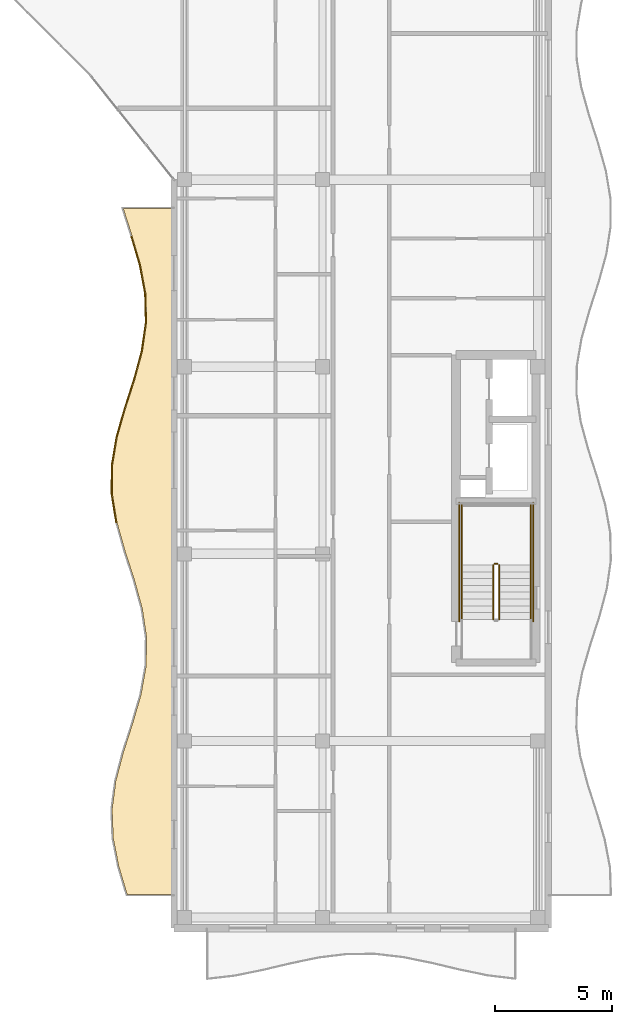
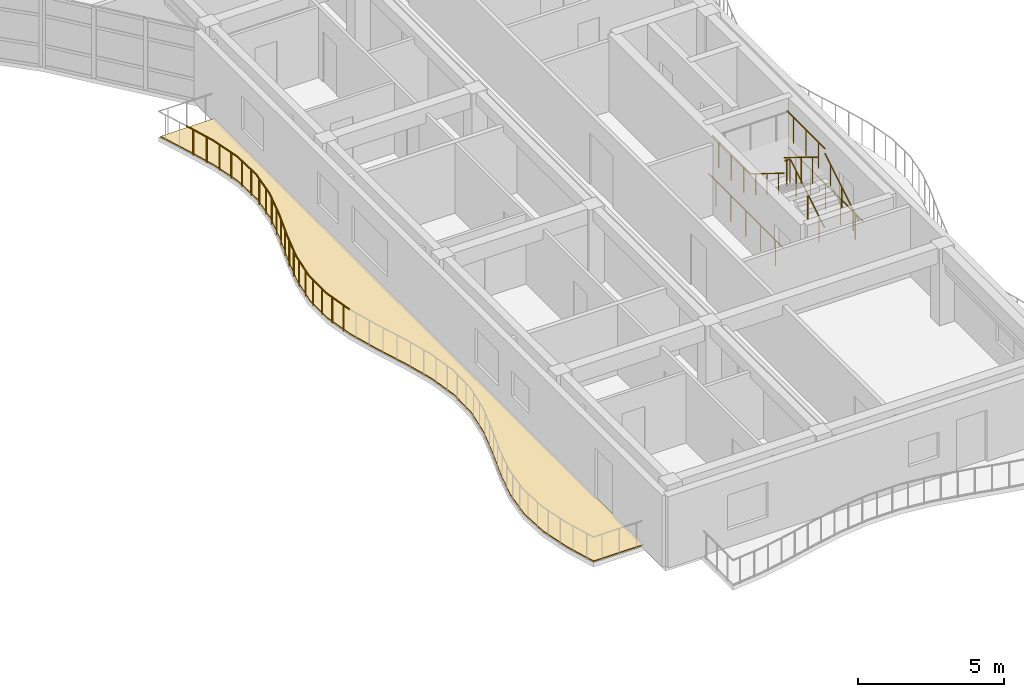
# One storey, part 68 of 72: 19 railings, 1 covering.
"""IFC4 building model written with IfcOpenShell, lengths in metres."""

from ifc_helpers import new_model, si_unit, direction, frame, origin, origin_2d, place, context, subcontext, project, spatial, polyline, circle, outline, extrude, material, layer, layer_set, type_object, element, save


model = new_model("IFC4")

# Units and contexts
model_context = context("Model", 3, precision=1e-05, world=origin(), true_north=direction((0.0, 1.0)))
body_context = subcontext(model_context, "Body", "Model", "MODEL_VIEW")
ifc_project = project(units=[si_unit("LENGTHUNIT", "METRE"), si_unit("AREAUNIT", "SQUARE_METRE"), si_unit("VOLUMEUNIT", "CUBIC_METRE"), si_unit("PLANEANGLEUNIT", "RADIAN"), si_unit("MASSUNIT", "GRAM", prefix="KILO")], contexts=[model_context])

# Site, building, storey
site_placement = place(None, origin())
site = spatial("IfcSite", under=ifc_project, at=site_placement, CompositionType="ELEMENT")
building_placement = place(site_placement, origin())
building = spatial("IfcBuilding", under=site, at=building_placement, Name="Keldmere Railside Commons", CompositionType="ELEMENT")
storey_placement = place(building_placement, frame((0.0, 0.0, 16.9599609375)))
storey = spatial("IfcBuildingStorey", under=building, at=storey_placement, Name="L05", CompositionType="ELEMENT", Elevation=16.9599609375)

# Railings
ifc_material_1 = material(Name="Steel F-24 (S235)", Category="steel")
railing_type_1 = type_object("IfcRailingType", Name="Balcony & Terrace Steel Balustrade 1100", PredefinedType="BALUSTRADE", material=ifc_material_1)
railing_1_placement = place(storey_placement, frame((165.521484375, 73.324951171875, 0.0)))
element("IfcRailing", 1, at=railing_1_placement, inside=storey, type_object=railing_type_1, Name="GR-1 GRD-L05-3733", PredefinedType="BALUSTRADE", context=body_context, shape_type="SweptSolid", body=[
    extrude(circle(Radius=0.02392578125, at=origin_2d()), frame((0.0, 0.0, 1.076171875), z_axis=(-0.158972629769, 0.987282990325, 0.0), x_axis=(-0.987282990325, -0.158972629769, 0.0)), (0.0, 0.0, 1.0), 1.240966796875),
    extrude(circle(Radius=0.02099609375, at=origin_2d()), frame((-0.04931640625, 0.30615234375, 0.0)), (0.0, 0.0, 1.0), 1.048095703125),
    extrude(circle(Radius=0.02099609375, at=origin_2d()), frame((-0.14794921875, 0.9189453125, 0.0)), (0.0, 0.0, 1.0), 1.048095703125),
])
railing_2_placement = place(storey_placement, frame((165.32421875, 74.550048828125, 0.0)))
element("IfcRailing", 2, at=railing_2_placement, inside=storey, type_object=railing_type_1, Name="GR-1 GRD-L05-3734", PredefinedType="BALUSTRADE", context=body_context, shape_type="SweptSolid", body=[
    extrude(circle(Radius=0.02392578125, at=origin_2d()), frame((0.0, 0.0, 1.076171875), z_axis=(0.004185731719, 0.999991239787, 0.0), x_axis=(-0.999991239787, 0.004185731719, 0.0)), (0.0, 0.0, 1.0), 1.224853515625),
    extrude(circle(Radius=0.02099609375, at=origin_2d()), frame((0.001220703125, 0.30615234375, 0.0)), (0.0, 0.0, 1.0), 1.048095703125),
    extrude(circle(Radius=0.02099609375, at=origin_2d()), frame((0.00390625, 0.918701171875, 0.0)), (0.0, 0.0, 1.0), 1.048095703125),
])
railing_3_placement = place(storey_placement, frame((165.329345703125, 75.77490234375, 0.0)))
element("IfcRailing", 3, at=railing_3_placement, inside=storey, type_object=railing_type_1, Name="GR-1 GRD-L05-3735", PredefinedType="BALUSTRADE", context=body_context, shape_type="SweptSolid", body=[
    extrude(circle(Radius=0.02392578125, at=origin_2d()), frame((0.0, 0.0, 1.076171875), z_axis=(0.166055861627, 0.986116347506, 0.0), x_axis=(-0.986116347506, 0.166055861627, 0.0)), (0.0, 0.0, 1.0), 1.242431640625),
    extrude(circle(Radius=0.02099609375, at=origin_2d()), frame((0.051513671875, 0.30615234375, 0.0)), (0.0, 0.0, 1.0), 1.048095703125),
    extrude(circle(Radius=0.02099609375, at=origin_2d()), frame((0.15478515625, 0.9189453125, 0.0)), (0.0, 0.0, 1.0), 1.048095703125),
])
railing_4_placement = place(storey_placement, frame((165.53564453125, 77.0, 0.0)))
element("IfcRailing", 4, at=railing_4_placement, inside=storey, type_object=railing_type_1, Name="GR-1 GRD-L05-3736", PredefinedType="BALUSTRADE", context=body_context, shape_type="SweptSolid", body=[
    extrude(circle(Radius=0.02392578125, at=origin_2d()), frame((0.0, 0.0, 1.076171875), z_axis=(0.27441739514, 0.961610676545, 0.0), x_axis=(-0.961610676545, 0.27441739514, 0.0)), (0.0, 0.0, 1.0), 1.27392578125),
    extrude(circle(Radius=0.02099609375, at=origin_2d()), frame((0.08740234375, 0.30615234375, 0.0)), (0.0, 0.0, 1.0), 1.048095703125),
    extrude(circle(Radius=0.02099609375, at=origin_2d()), frame((0.26220703125, 0.9189453125, 0.0)), (0.0, 0.0, 1.0), 1.048095703125),
])
railing_5_placement = place(storey_placement, frame((165.88525390625, 78.22509765625, 0.0)))
element("IfcRailing", 5, at=railing_5_placement, inside=storey, type_object=railing_type_1, Name="GR-1 GRD-L05-3737", PredefinedType="BALUSTRADE", context=body_context, shape_type="SweptSolid", body=[
    extrude(circle(Radius=0.02392578125, at=origin_2d()), frame((0.0, 0.0, 1.076171875), z_axis=(0.307451620447, 0.951563713623, 0.0), x_axis=(-0.951563713623, 0.307451620447, 0.0)), (0.0, 0.0, 1.0), 1.287109375),
    extrude(circle(Radius=0.02099609375, at=origin_2d()), frame((0.098876953125, 0.30615234375, 0.0)), (0.0, 0.0, 1.0), 1.048095703125),
    extrude(circle(Radius=0.02099609375, at=origin_2d()), frame((0.296875, 0.918701171875, 0.0)), (0.0, 0.0, 1.0), 1.048095703125),
])
railing_6_placement = place(storey_placement, frame((166.281005859375, 79.449951171875, 0.0)))
element("IfcRailing", 6, at=railing_6_placement, inside=storey, type_object=railing_type_1, Name="GR-1 GRD-L05-3738", PredefinedType="BALUSTRADE", context=body_context, shape_type="SweptSolid", body=[
    extrude(circle(Radius=0.02392578125, at=origin_2d()), frame((0.0, 0.0, 1.076171875), z_axis=(0.261049536835, 0.965325405922, 0.0), x_axis=(-0.965325405922, 0.261049536835, 0.0)), (0.0, 0.0, 1.0), 1.26904296875),
    extrude(circle(Radius=0.02099609375, at=origin_2d()), frame((0.082763671875, 0.30615234375, 0.0)), (0.0, 0.0, 1.0), 1.048095703125),
    extrude(circle(Radius=0.02099609375, at=origin_2d()), frame((0.24853515625, 0.9189453125, 0.0)), (0.0, 0.0, 1.0), 1.048095703125),
])
railing_7_placement = place(storey_placement, frame((166.6123046875, 80.675048828125, 0.0)))
element("IfcRailing", 7, at=railing_7_placement, inside=storey, type_object=railing_type_1, Name="GR-1 GRD-L05-3739", PredefinedType="BALUSTRADE", context=body_context, shape_type="SweptSolid", body=[
    extrude(circle(Radius=0.02392578125, at=origin_2d()), frame((0.0, 0.0, 1.076171875), z_axis=(0.140896428095, 0.990024341393, 0.0), x_axis=(-0.990024341393, 0.140896428095, 0.0)), (0.0, 0.0, 1.0), 1.2373046875),
    extrude(circle(Radius=0.02099609375, at=origin_2d()), frame((0.04345703125, 0.30615234375, 0.0)), (0.0, 0.0, 1.0), 1.048095703125),
    extrude(circle(Radius=0.02099609375, at=origin_2d()), frame((0.130859375, 0.918701171875, 0.0)), (0.0, 0.0, 1.0), 1.048095703125),
])
railing_8_placement = place(storey_placement, frame((166.78662109375, 81.89990234375, 0.0)))
element("IfcRailing", 8, at=railing_8_placement, inside=storey, type_object=railing_type_1, Name="GR-1 GRD-L05-3740", PredefinedType="BALUSTRADE", context=body_context, shape_type="SweptSolid", body=[
    extrude(circle(Radius=0.02392578125, at=origin_2d()), frame((0.0, 0.0, 1.076171875), z_axis=(-0.02530078622, 0.999679883871, 0.0), x_axis=(-0.999679883871, -0.02530078622, 0.0)), (0.0, 0.0, 1.0), 1.2255859375),
    extrude(circle(Radius=0.02099609375, at=origin_2d()), frame((-0.0078125, 0.30615234375, 0.0)), (0.0, 0.0, 1.0), 1.048095703125),
    extrude(circle(Radius=0.02099609375, at=origin_2d()), frame((-0.023193359375, 0.9189453125, 0.0)), (0.0, 0.0, 1.0), 1.048095703125),
])
railing_9_placement = place(storey_placement, frame((166.755615234375, 83.125, 0.0)))
element("IfcRailing", 9, at=railing_9_placement, inside=storey, type_object=railing_type_1, Name="GR-1 GRD-L05-3741", PredefinedType="BALUSTRADE", context=body_context, shape_type="SweptSolid", body=[
    extrude(circle(Radius=0.02392578125, at=origin_2d()), frame((0.0, 0.0, 1.076171875), z_axis=(-0.182987183933, 0.983115298689, 0.0), x_axis=(-0.983115298689, -0.182987183933, 0.0)), (0.0, 0.0, 1.0), 1.24609375),
    extrude(circle(Radius=0.02099609375, at=origin_2d()), frame((-0.05712890625, 0.30615234375, 0.0)), (0.0, 0.0, 1.0), 1.048095703125),
    extrude(circle(Radius=0.02099609375, at=origin_2d()), frame((-0.1708984375, 0.9189453125, 0.0)), (0.0, 0.0, 1.0), 1.048095703125),
])
railing_10_placement = place(storey_placement, frame((166.527587890625, 84.35009765625, 0.0)))
element("IfcRailing", 10, at=railing_10_placement, inside=storey, type_object=railing_type_1, Name="GR-1 GRD-L05-3742", PredefinedType="BALUSTRADE", context=body_context, shape_type="SweptSolid", body=[
    extrude(circle(Radius=0.02392578125, at=origin_2d()), frame((0.0, 0.0, 1.076171875), z_axis=(-0.282766622506, 0.95918873909, 0.0), x_axis=(-0.95918873909, -0.282766622506, 0.0)), (0.0, 0.0, 1.0), 1.27685546875),
    extrude(circle(Radius=0.02099609375, at=origin_2d()), frame((-0.09033203125, 0.30615234375, 0.0)), (0.0, 0.0, 1.0), 1.048095703125),
    extrude(circle(Radius=0.02099609375, at=origin_2d()), frame((-0.270751953125, 0.918701171875, 0.0)), (0.0, 0.0, 1.0), 1.048095703125),
])
railing_type_2 = type_object("IfcRailingType", Name="Stair Well Steel Guardrail 1100", PredefinedType="BALUSTRADE", material=ifc_material_1)
railing_11_placement = place(storey_placement, frame((181.89990234375, 69.199951171875, 0.177734375)))
element("IfcRailing", 11, at=railing_11_placement, inside=storey, type_object=railing_type_2, Name="L05 ST-A1 stair guard 1", PredefinedType="BALUSTRADE", context=body_context, shape_type="SweptSolid", body=[
    extrude(circle(Radius=0.02392578125, at=origin_2d()), frame((0.0, 0.0, 1.076171875), z_axis=(0.0, 0.852538067394, 0.522665135287), x_axis=(-1.0, 0.0, 0.0)), (0.0, 0.0, 1.0), 2.721435546875),
    extrude(circle(Radius=0.02099609375, at=origin_2d()), frame((0.0, 0.38671875, 0.237060546875)), (0.0, 0.0, 1.0), 1.048095703125),
    extrude(circle(Radius=0.02099609375, at=origin_2d()), frame((0.0, 1.16015625, 0.711181640625)), (0.0, 0.0, 1.0), 1.048095703125),
    extrude(circle(Radius=0.02099609375, at=origin_2d()), frame((0.0, 1.933349609375, 1.185302734375)), (0.0, 0.0, 1.0), 1.048095703125),
])
railing_12_placement = place(storey_placement, frame((181.85009765625, 71.570068359375, 1.60009765625)))
element("IfcRailing", 12, at=railing_12_placement, inside=storey, type_object=railing_type_2, Name="L05 ST-A1 stair guard 2", PredefinedType="BALUSTRADE", context=body_context, shape_type="SweptSolid", body=[
    extrude(circle(Radius=0.02392578125, at=origin_2d()), frame((0.0, 0.0, 1.076171875), z_axis=(-1.0, 0.0, 0.0), x_axis=(0.0, -1.0, 0.0)), (0.0, 0.0, 1.0), 0.150146484375),
    extrude(circle(Radius=0.02099609375, at=origin_2d()), frame((-0.0751953125, 0.0, 0.0)), (0.0, 0.0, 1.0), 1.048095703125),
])
for number, where, name in (
    (13, (183.25, 71.52001953125, 1.60009765625), "L05 ST-A1 stair guard 3"),
    (14, (180.300048828125, 71.52001953125, 1.60009765625), "L05 ST-A1 stair guard 4"),
):
    element("IfcRailing", number, at=place(storey_placement, frame(where)), inside=storey, type_object=railing_type_2, Name=name, PredefinedType="BALUSTRADE", context=body_context, shape_type="SweptSolid", body=[
        extrude(circle(Radius=0.02392578125, at=origin_2d()), frame((0.0, 0.0, 1.076171875), z_axis=(0.0, 1.0, 0.0), x_axis=(-1.0, 0.0, 0.0)), (0.0, 0.0, 1.0), 2.580078125),
        extrude(circle(Radius=0.02099609375, at=origin_2d()), frame((0.0, 0.429931640625, 0.0)), (0.0, 0.0, 1.0), 1.048095703125),
        extrude(circle(Radius=0.02099609375, at=origin_2d()), frame((0.0, 1.2900390625, 0.0)), (0.0, 0.0, 1.0), 1.048095703125),
        extrude(circle(Radius=0.02099609375, at=origin_2d()), frame((0.0, 2.150146484375, 0.0)), (0.0, 0.0, 1.0), 1.048095703125),
    ])
railing_13_placement = place(storey_placement, frame((181.64990234375, 71.52001953125, 1.77783203125)))
element("IfcRailing", 15, at=railing_13_placement, inside=storey, type_object=railing_type_2, Name="L05 ST-A1 stair guard 6", PredefinedType="BALUSTRADE", context=body_context, shape_type="SweptSolid", body=[
    extrude(circle(Radius=0.02392578125, at=origin_2d()), frame((0.0, 0.0, 1.076171875), z_axis=(0.0, -0.852578041948, 0.522599925744), x_axis=(1.0, 0.0, 0.0)), (0.0, 0.0, 1.0), 2.72119140625),
    extrude(circle(Radius=0.02099609375, at=origin_2d()), frame((0.0, -0.38671875, 0.237060546875)), (0.0, 0.0, 1.0), 1.048095703125),
    extrude(circle(Radius=0.02099609375, at=origin_2d()), frame((0.0, -1.16015625, 0.7109375)), (0.0, 0.0, 1.0), 1.048095703125),
    extrude(circle(Radius=0.02099609375, at=origin_2d()), frame((0.0, -1.933349609375, 1.18505859375)), (0.0, 0.0, 1.0), 1.048095703125),
])
for number, where, name in (
    (16, (183.35009765625, 69.10009765625, 0.0), "L05 ST-A1 stair guard 10"),
    (17, (180.199951171875, 69.10009765625, 0.0), "L05 ST-A1 stair guard 11"),
):
    element("IfcRailing", number, at=place(storey_placement, frame(where)), inside=storey, type_object=railing_type_2, Name=name, PredefinedType="BALUSTRADE", context=body_context, shape_type="SweptSolid", body=[
        extrude(circle(Radius=0.02392578125, at=origin_2d()), frame((0.0, 0.0, 1.076171875), z_axis=(0.0, 1.0, 0.0), x_axis=(-1.0, 0.0, 0.0)), (0.0, 0.0, 1.0), 5.099853515625),
        extrude(circle(Radius=0.02099609375, at=origin_2d()), frame((0.0, 0.510009765625, 0.0)), (0.0, 0.0, 1.0), 1.048095703125),
        extrude(circle(Radius=0.02099609375, at=origin_2d()), frame((0.0, 1.530029296875, 0.0)), (0.0, 0.0, 1.0), 1.048095703125),
        extrude(circle(Radius=0.02099609375, at=origin_2d()), frame((0.0, 2.5498046875, 0.0)), (0.0, 0.0, 1.0), 1.048095703125),
        extrude(circle(Radius=0.02099609375, at=origin_2d()), frame((0.0, 3.56982421875, 0.0)), (0.0, 0.0, 1.0), 1.048095703125),
        extrude(circle(Radius=0.02099609375, at=origin_2d()), frame((0.0, 4.58984375, 0.0)), (0.0, 0.0, 1.0), 1.048095703125),
    ])
railing_type_3 = type_object("IfcRailingType", Name="Wall-Mounted Tubular Steel Handrail 900", PredefinedType="HANDRAIL", material=ifc_material_1)
railing_14_placement = place(storey_placement, frame((183.25, 69.199951171875, 0.177734375)))
element("IfcRailing", 18, at=railing_14_placement, inside=storey, type_object=railing_type_3, Name="L05 ST-A1 stair handrail 1", PredefinedType="HANDRAIL", context=body_context, shape_type="SweptSolid", body=[
    extrude(circle(Radius=0.02392578125, at=origin_2d()), frame((0.0, 0.0, 0.8759765625), z_axis=(0.0, 0.852538067394, 0.522665135287), x_axis=(-1.0, 0.0, 0.0)), (0.0, 0.0, 1.0), 2.721435546875),
    extrude(circle(Radius=0.02099609375, at=origin_2d()), frame((0.0, 0.38671875, 0.237060546875)), (0.0, 0.0, 1.0), 0.847900390625),
    extrude(circle(Radius=0.02099609375, at=origin_2d()), frame((0.0, 1.16015625, 0.711181640625)), (0.0, 0.0, 1.0), 0.847900390625),
    extrude(circle(Radius=0.02099609375, at=origin_2d()), frame((0.0, 1.933349609375, 1.185302734375)), (0.0, 0.0, 1.0), 0.847900390625),
])
railing_15_placement = place(storey_placement, frame((180.300048828125, 71.52001953125, 1.77783203125)))
element("IfcRailing", 19, at=railing_15_placement, inside=storey, type_object=railing_type_3, Name="L05 ST-A1 stair handrail 2", PredefinedType="HANDRAIL", context=body_context, shape_type="SweptSolid", body=[
    extrude(circle(Radius=0.02392578125, at=origin_2d()), frame((0.0, 0.0, 0.8759765625), z_axis=(0.0, -0.852578041948, 0.522599925744), x_axis=(1.0, 0.0, 0.0)), (0.0, 0.0, 1.0), 2.72119140625),
    extrude(circle(Radius=0.02099609375, at=origin_2d()), frame((0.0, -0.38671875, 0.237060546875)), (0.0, 0.0, 1.0), 0.847900390625),
    extrude(circle(Radius=0.02099609375, at=origin_2d()), frame((0.0, -1.16015625, 0.7109375)), (0.0, 0.0, 1.0), 0.847900390625),
    extrude(circle(Radius=0.02099609375, at=origin_2d()), frame((0.0, -1.933349609375, 1.18505859375)), (0.0, 0.0, 1.0), 0.847900390625),
])

# Covering
ifc_material_2 = material(Name="White Precast Concrete C35/45", Category="concrete")
ifc_layer = layer(ifc_material_2, 0.044921875, Name="White Architectural Balcony Ribbon Cladding 45")
ifc_layer_set = layer_set([ifc_layer], Name="White Precast Concrete C35/45")
covering_type = type_object("IfcCoveringType", Name="White Architectural Balcony Ribbon Cladding 45", PredefinedType="FLOORING", material=ifc_layer_set)
covering_placement = place(storey_placement, origin())
element("IfcCovering", 20, at=covering_placement, inside=storey, type_object=covering_type, Name="CLG-WB A L05 CW White Balcony Ribbon", PredefinedType="FLOORING", context=body_context, shape_type="SweptSolid", body=[
    extrude(outline(polyline([(167.9599609375, 86.760009765625), (165.82763671875, 86.760009765625), (166.20458984375, 85.587158203125), (166.204833984375, 85.586181640625), (166.56591796875, 84.361328125), (166.56689453125, 84.357421875), (166.794921875, 83.13232421875), (166.79541015625, 83.129150390625), (166.795654296875, 83.1259765625), (166.82666015625, 81.90087890625), (166.82666015625, 81.897705078125), (166.826416015625, 81.894287109375), (166.65185546875, 80.66943359375), (166.65087890625, 80.66455078125), (166.319580078125, 79.439697265625), (166.319091796875, 79.437744140625), (165.923583984375, 78.21337890625), (165.57470703125, 76.9912109375), (165.369384765625, 75.771484375), (165.364013671875, 74.552978515625), (165.560546875, 73.33349609375), (165.904296875, 72.111572265625), (166.30029296875, 70.88720703125), (166.30078125, 70.885498046875), (166.6376953125, 69.66064453125), (166.638671875, 69.656005859375), (166.822265625, 68.430908203125), (166.822509765625, 68.427490234375), (166.82275390625, 68.42431640625), (166.802001953125, 67.19921875), (166.8017578125, 67.196044921875), (166.801513671875, 67.193115234375), (166.58203125, 65.968017578125), (166.5810546875, 65.9638671875), (166.224365234375, 64.73876953125), (166.22412109375, 64.73779296875), (165.82958984375, 63.513916015625), (165.508056640625, 62.292236328125), (165.348388671875, 61.0732421875), (165.394775390625, 59.8544921875), (165.63427734375, 58.634521484375), (165.992431640625, 57.43994140625), (167.9599609375, 57.43994140625), (167.9599609375, 86.760009765625)])), origin(), (0.0, 0.0, 1.0), 0.044921875),
])

save(model, "model.ifc")
